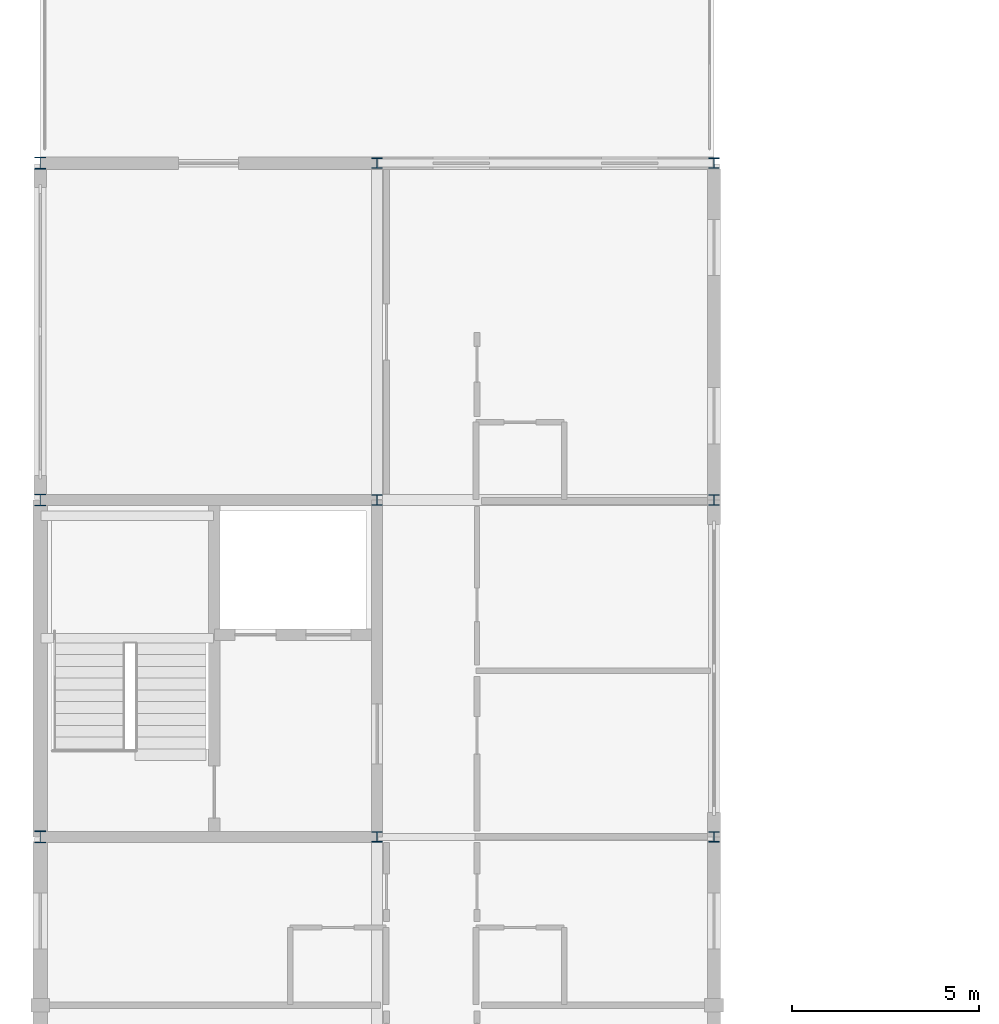
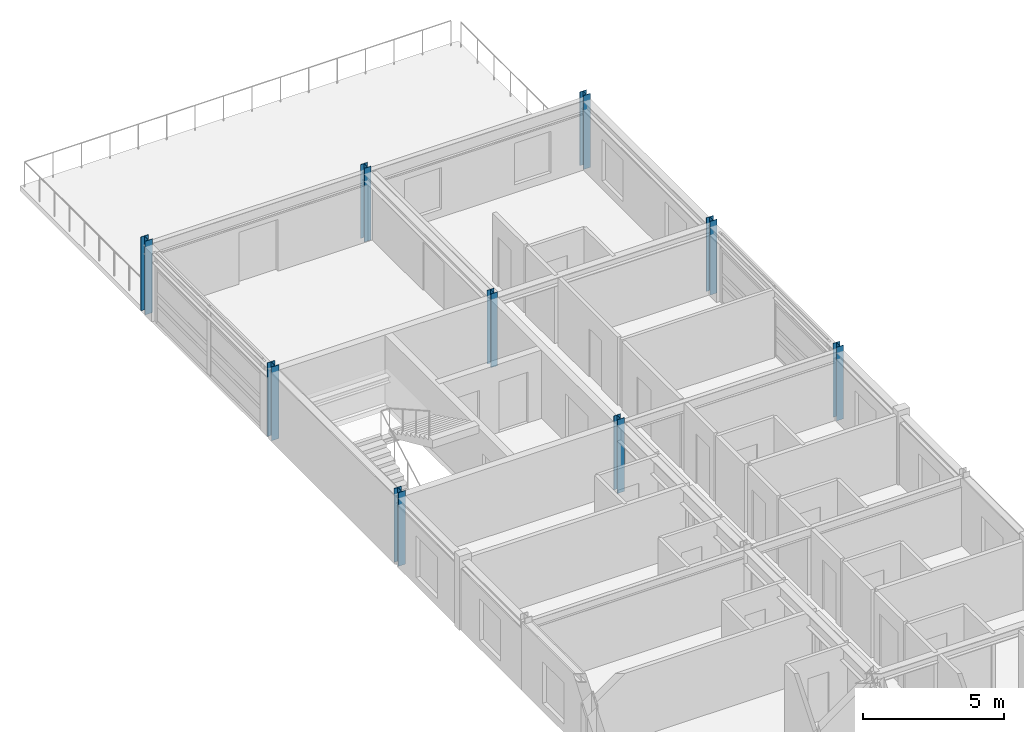
# One storey, part 4 of 18: 9 columns.
"""IFC4 building model written with IfcOpenShell, lengths in metres."""

from ifc_helpers import new_model, si_unit, direction, frame, origin, origin_2d, place, context, subcontext, project, spatial, i_section, extrude, material, material_profile, profile_set, type_object, element, save


model = new_model("IFC4")

# Units and contexts
model_context = context("Model", 3, precision=1e-05, world=origin(), true_north=direction((0.0, 1.0)))
body_context = subcontext(model_context, "Body", "Model", "MODEL_VIEW")
ifc_project = project(units=[si_unit("LENGTHUNIT", "METRE"), si_unit("AREAUNIT", "SQUARE_METRE"), si_unit("VOLUMEUNIT", "CUBIC_METRE"), si_unit("PLANEANGLEUNIT", "RADIAN"), si_unit("MASSUNIT", "GRAM", prefix="KILO")], contexts=[model_context])

# Site, building, storey
site_placement = place(None, origin())
site = spatial("IfcSite", under=ifc_project, at=site_placement, CompositionType="ELEMENT")
building_placement = place(site_placement, origin())
building = spatial("IfcBuilding", under=site, at=building_placement, Name="Palais des Congres Ocreval", CompositionType="ELEMENT")
storey_placement = place(building_placement, frame((0.0, 0.0, 23.679931640625)))
storey = spatial("IfcBuildingStorey", under=building, at=storey_placement, Name="L07", CompositionType="ELEMENT", Elevation=23.679931640625)

# Columns
ifc_material = material(Name="Steel S355", Category="steel")
ifc_material_profile_1 = material_profile(ifc_material, i_section(OverallWidth=0.280029296875, OverallDepth=0.280029296875, WebThickness=0.010498046875, FlangeThickness=0.01806640625, at=origin_2d()), Name="HEB 280")
ifc_profile_set_1 = profile_set([ifc_material_profile_1], Name="Steel S355")
column_type_1 = type_object("IfcColumnType", Name="Column HEB 280 Steel S355", PredefinedType="COLUMN", material=ifc_profile_set_1)
for number, where, z_axis, x_axis, name in (
    (1, (9.0, 36.0, 0.0), (0.0, 0.0, 1.0), (1.0, 0.0, 0.0), "Column C13 L07"),
    (2, (9.0, 45.0, 0.0), (0.0, 0.0, 1.0), (1.0, 0.0, 0.0), "Column C13 L07"),
    (3, (9.0, 54.0, 0.0), (0.0, 0.0, 1.0), (1.0, 0.0, 0.0), "Column C13 L07"),
    (4, (18.0, 36.0, 0.0), (0.0, 0.0, 1.0), (1.0, 0.0, 0.0), "Column C13 L07"),
    (5, (18.0, 45.0, 0.0), (0.0, 0.0, 1.0), (1.0, 0.0, 0.0), "Column C13 L07"),
    (6, (18.0, 54.0, 0.0), (0.0, 0.0, 1.0), (1.0, 0.0, 0.0), "Column C13 L07"),
):
    element("IfcColumn", number, at=place(storey_placement, frame(where, z_axis=z_axis, x_axis=x_axis)), inside=storey, type_object=column_type_1, Name=name, PredefinedType="COLUMN", context=body_context, shape_type="SweptSolid", body=[
        extrude(i_section(OverallWidth=0.280029296875, OverallDepth=0.280029296875, WebThickness=0.010498046875, FlangeThickness=0.01806640625, at=origin_2d()), origin(), (0.0, 0.0, 1.0), 3.199951171875),
    ])
ifc_material_profile_2 = material_profile(ifc_material, i_section(OverallWidth=0.300048828125, OverallDepth=0.320068359375, WebThickness=0.011474609375, FlangeThickness=0.0205078125, at=origin_2d()), Name="HEB 320")
ifc_profile_set_2 = profile_set([ifc_material_profile_2], Name="Steel S355")
column_type_2 = type_object("IfcColumnType", Name="Column HEB 320 Steel S355", PredefinedType="COLUMN", material=ifc_profile_set_2)
for number, where, z_axis, x_axis, name in (
    (7, (0.0, 36.0, 0.0), (0.0, 0.0, 1.0), (1.0, 0.0, 0.0), "Column C12 L07"),
    (8, (0.0, 45.0, 0.0), (0.0, 0.0, 1.0), (1.0, 0.0, 0.0), "Column C12 L07"),
    (9, (0.0, 54.0, 0.0), (0.0, 0.0, 1.0), (1.0, 0.0, 0.0), "Column C12 L07"),
):
    element("IfcColumn", number, at=place(storey_placement, frame(where, z_axis=z_axis, x_axis=x_axis)), inside=storey, type_object=column_type_2, Name=name, PredefinedType="COLUMN", context=body_context, shape_type="SweptSolid", body=[
        extrude(i_section(OverallWidth=0.300048828125, OverallDepth=0.320068359375, WebThickness=0.011474609375, FlangeThickness=0.0205078125, at=origin_2d()), origin(), (0.0, 0.0, 1.0), 3.199951171875),
    ])

save(model, "model.ifc")
